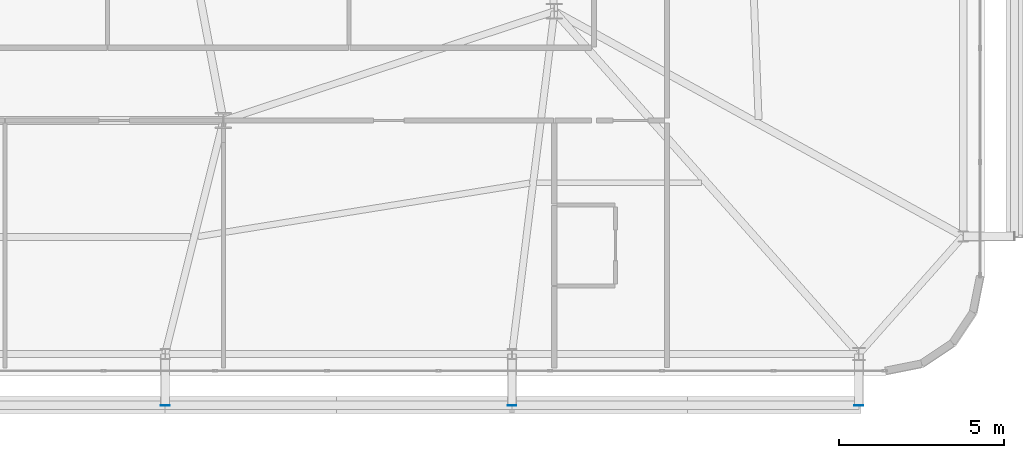
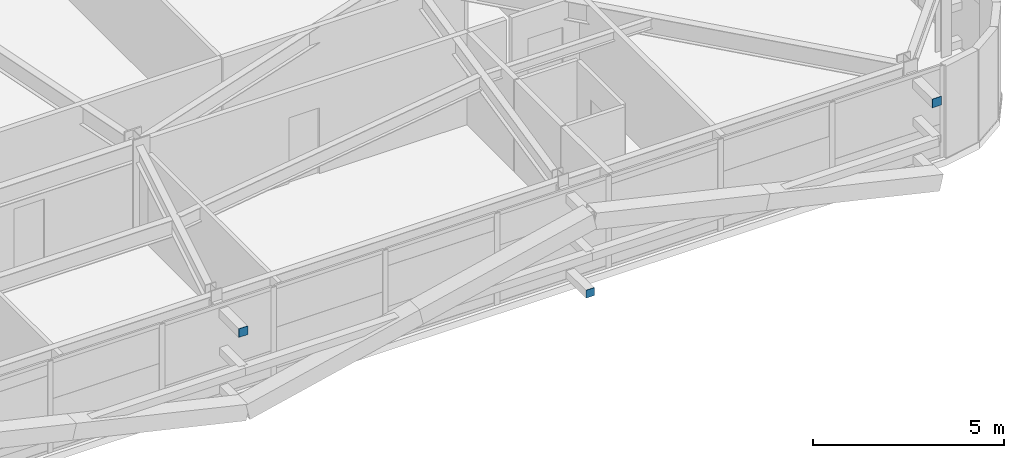
# One storey, part 47 of 58: 3 plates.
"""IFC4 building model written with IfcOpenShell, lengths in metres."""

from ifc_helpers import new_model, si_unit, direction, frame, origin, origin_2d, place, context, subcontext, project, spatial, rectangle, extrude, source, transform, mapped, material, layer, layer_set, type_object, element, save


model = new_model("IFC4")

# Units and contexts
model_context = context("Model", 3, precision=1e-05, world=origin(), true_north=direction((0.0, 1.0)))
body_context = subcontext(model_context, "Body", "Model", "MODEL_VIEW")
ifc_project = project(units=[si_unit("LENGTHUNIT", "METRE"), si_unit("AREAUNIT", "SQUARE_METRE"), si_unit("VOLUMEUNIT", "CUBIC_METRE"), si_unit("PLANEANGLEUNIT", "RADIAN"), si_unit("MASSUNIT", "GRAM", prefix="KILO")], contexts=[model_context])

# Site, building, storey
site_placement = place(None, origin())
site = spatial("IfcSite", under=ifc_project, at=site_placement, CompositionType="ELEMENT")
building_placement = place(site_placement, origin())
building = spatial("IfcBuilding", under=site, at=building_placement, Name="Taldren Reach Tower", CompositionType="ELEMENT")
storey_placement = place(building_placement, frame((0.0, 0.0, 32.550048828125)))
storey = spatial("IfcBuildingStorey", under=building, at=storey_placement, Name="L09", CompositionType="ELEMENT", Elevation=32.550048828125)

# Plates
ifc_material_1 = material(Name="Steel Gr 450 (C450L0)", Category="steel")
ifc_layer_1 = layer(ifc_material_1, 0.011962890625)
ifc_layer_set_1 = layer_set([ifc_layer_1], Name="Steel Gr 450 (C450L0)")
plate_type_1 = type_object("IfcPlateType", Name="PL-CAP-275", PredefinedType="SHEET", material=ifc_layer_set_1)
shared_shape_1 = source(origin(), body_context, "Body", "SweptSolid", [
    extrude(rectangle(XDim=0.27490234375, YDim=0.011962890625, at=origin_2d()), origin(), (0.0, 0.0, 1.0), 0.27490234375),
])
for number, where, z_axis, x_axis, name in (
    (1, (40.239990234375, 0.593994140625, 2.512451171875), (0.0, 0.0, 1.0), (1.0, 0.0, 0.0), "Tie strut end cap plate B1-S4 L09"),
    (2, (61.199951171875, 0.593994140625, 2.512451171875), (0.0, 0.0, 1.0), (1.0, 0.0, 0.0), "Tie strut end cap plate B1-S6 L09"),
):
    element("IfcPlate", number, at=place(storey_placement, frame(where, z_axis=z_axis, x_axis=x_axis)), inside=storey, type_object=plate_type_1, Name=name, PredefinedType="SHEET", context=body_context, shape_type="MappedRepresentation", body=[
        mapped(shared_shape_1, transform((0.0, 0.0, 0.0), scale=1.0)),
    ])
ifc_material_2 = material(Name="Steel Gr 350 (C350L0)", Category="steel")
ifc_layer_2 = layer(ifc_material_2, 0.011962890625)
ifc_layer_set_2 = layer_set([ifc_layer_2], Name="Steel Gr 350 (C350L0)")
plate_type_2 = type_object("IfcPlateType", Name="PL-CAP-250", PredefinedType="SHEET", material=ifc_layer_set_2)
shared_shape_2 = source(origin(), body_context, "Body", "SweptSolid", [
    extrude(rectangle(XDim=0.25, YDim=0.011962890625, at=origin_2d()), origin(), (0.0, 0.0, 1.0), 0.25),
])
plate_placement = place(storey_placement, frame((50.719970703125, 0.593994140625, 0.094970703125), z_axis=(0.0, 0.0, 1.0), x_axis=(1.0, 0.0, 0.0)))
element("IfcPlate", 3, at=plate_placement, inside=storey, type_object=plate_type_2, Name="Tie strut end cap plate B1-S5 L09", PredefinedType="SHEET", context=body_context, shape_type="MappedRepresentation", body=[
    mapped(shared_shape_2, transform((0.0, 0.0, 0.0), scale=1.0)),
])

save(model, "model.ifc")
